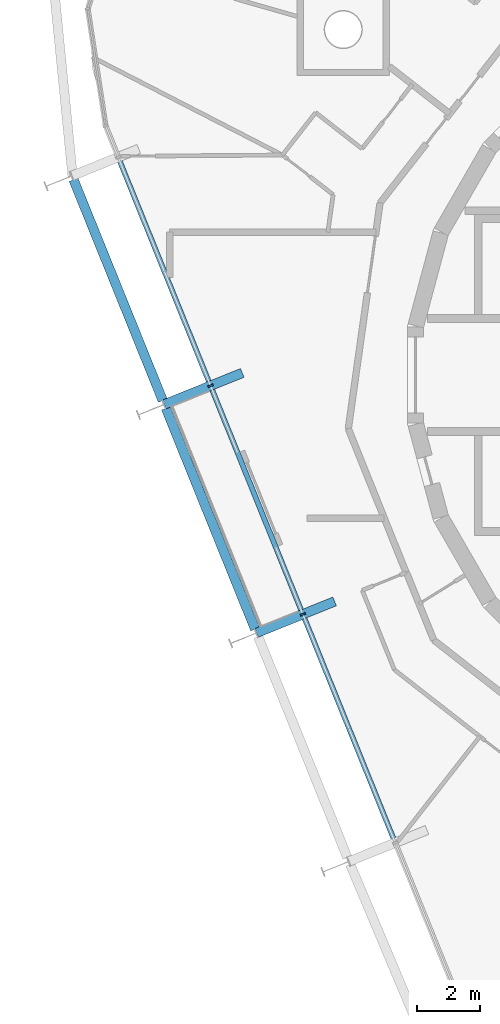
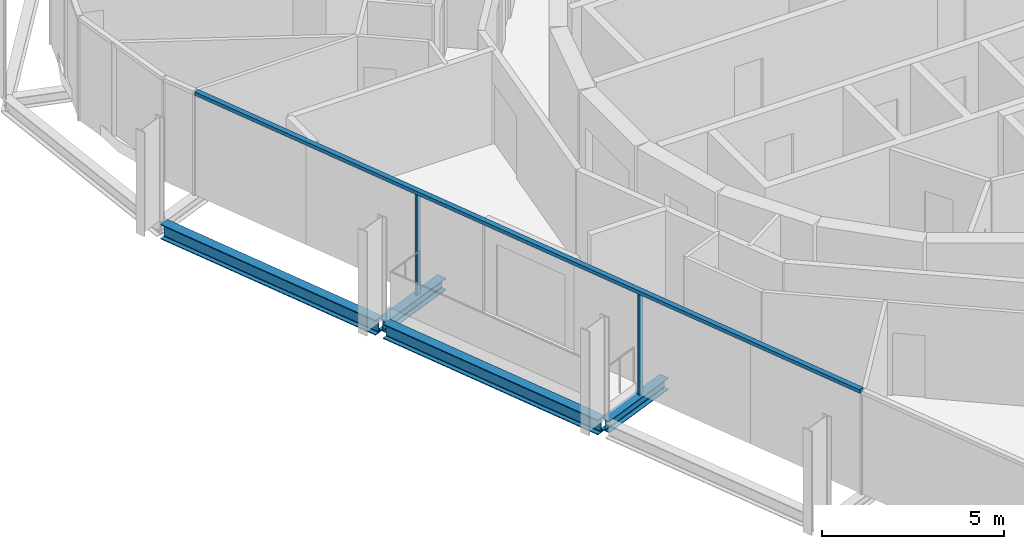
# One storey, part 3 of 15: 4 beams, 3 members, 1 element without a shape of its own.
"""IFC4 building model written with IfcOpenShell, lengths in metres."""

from ifc_helpers import new_model, si_unit, direction, frame, origin, origin_2d, place, context, subcontext, project, spatial, rectangle, i_section, extrude, material, layer, layer_set, material_profile, profile_set, type_object, element, aggregate, save


model = new_model("IFC4")

# Units and contexts
model_context = context("Model", 3, precision=1e-05, world=origin(), true_north=direction((0.0, 1.0)))
body_context = subcontext(model_context, "Body", "Model", "MODEL_VIEW")
ifc_project = project(units=[si_unit("LENGTHUNIT", "METRE"), si_unit("AREAUNIT", "SQUARE_METRE"), si_unit("VOLUMEUNIT", "CUBIC_METRE"), si_unit("PLANEANGLEUNIT", "RADIAN"), si_unit("MASSUNIT", "GRAM", prefix="KILO")], contexts=[model_context])

# Site, building, storey
site_placement = place(None, origin())
site = spatial("IfcSite", under=ifc_project, at=site_placement, CompositionType="ELEMENT")
building_placement = place(site_placement, origin())
building = spatial("IfcBuilding", under=site, at=building_placement, Name="Spindle Arch Residences", CompositionType="ELEMENT")
storey_placement = place(building_placement, frame((0.0, 0.0, 340.0)))
storey = spatial("IfcBuildingStorey", under=building, at=storey_placement, Name="L87", CompositionType="ELEMENT", Elevation=340.0)

# Curtain wall, members
ifc_material_1 = material(Name="Aluminium bronze unitised frame with tinted glass", Category="aluminium")
ifc_layer = layer(ifc_material_1, 0.159912109375)
ifc_layer_set = layer_set([ifc_layer], Name="CW-C typical residential unitised wall")
curtain_wall_type = type_object("IfcCurtainWallType", Name="CW-C typical residential unitised wall", PredefinedType="NOTDEFINED", material=ifc_layer_set)
curtain_wall_placement = place(storey_placement, origin())
curtain_wall = element("IfcCurtainWall", 1, at=curtain_wall_placement, inside=storey, type_object=curtain_wall_type, Name="CW-C L87 run 4", PredefinedType="NOTDEFINED")
ifc_material_2 = material(Name="Aluminium bronze anodised mullion", Category="aluminium")
ifc_material_profile_1 = material_profile(ifc_material_2, rectangle(XDim=0.159912109375, YDim=0.06005859375, at=origin_2d()), Name="MU 60x160")
ifc_profile_set_1 = profile_set([ifc_material_profile_1], Name="Aluminium bronze anodised mullion")
member_type_1 = type_object("IfcMemberType", Name="Bronze mullion 60x160", PredefinedType="MULLION", material=ifc_profile_set_1)
member_1_placement = place(storey_placement, frame((-18.110595703125, -0.337646484375, -0.3798828125), z_axis=(0.0, 0.0, 1.0), x_axis=(0.927183854567, 0.374606593416, 0.0)))
member_1 = element("IfcMember", 2, at=member_1_placement, type_object=member_type_1, Name="CW-C mullion 12", PredefinedType="MULLION", context=body_context, shape_type="SweptSolid", body=[
    extrude(rectangle(XDim=0.159912109375, YDim=0.06005859375, at=origin_2d()), origin(), (0.0, 0.0, 1.0), 3.3798828125),
])
member_2_placement = place(storey_placement, frame((-15.20166015625, -7.537841796875, -0.3798828125), z_axis=(0.0, 0.0, 1.0), x_axis=(0.927183854567, 0.374606593416, 0.0)))
member_2 = element("IfcMember", 3, at=member_2_placement, type_object=member_type_1, Name="CW-C mullion 13", PredefinedType="MULLION", context=body_context, shape_type="SweptSolid", body=[
    extrude(rectangle(XDim=0.159912109375, YDim=0.06005859375, at=origin_2d()), origin(), (0.0, 0.0, 1.0), 3.3798828125),
])
ifc_material_3 = material(Name="Aluminium bronze anodised transom", Category="aluminium")
ifc_material_profile_2 = material_profile(ifc_material_3, rectangle(XDim=0.159912109375, YDim=0.1201171875, at=origin_2d()), Name="TR 120x160")
ifc_profile_set_2 = profile_set([ifc_material_profile_2], Name="Aluminium bronze anodised transom")
member_type_2 = type_object("IfcMemberType", Name="Bronze transom 120x160", PredefinedType="USERDEFINED", material=ifc_profile_set_2)
member_3_placement = place(storey_placement, frame((-21.008544921875, 6.834716796875, 3.06005859375), z_axis=(0.374602019708, -0.927185702452, 0.0), x_axis=(0.927185702452, 0.374602019708, 0.0)))
member_3 = element("IfcMember", 4, at=member_3_placement, type_object=member_type_2, Name="CW-C transom 00", ObjectType="TRANSOM", PredefinedType="USERDEFINED", context=body_context, shape_type="SweptSolid", body=[
    extrude(rectangle(XDim=0.159912109375, YDim=0.1201171875, at=origin_2d()), origin(), (0.0, 0.0, 1.0), 23.23681640625),
])
aggregate(curtain_wall, [member_3, member_1, member_2])

# Beams
ifc_material_4 = material(Name="Steel S460ML, intumescent coating R 120", Category="steel")
ifc_material_profile_3 = material_profile(ifc_material_4, i_section(OverallWidth=0.300048828125, OverallDepth=0.5, WebThickness=0.014404296875, FlangeThickness=0.028076171875, FilletRadius=0.027099609375, at=origin_2d()), Name="HEB 500")
ifc_profile_set_3 = profile_set([ifc_material_profile_3], Name="Steel S460ML, intumescent coating R 120")
beam_type_1 = type_object("IfcBeamType", Name="Exoskeleton edge beam HEB 500", PredefinedType="BEAM", material=ifc_profile_set_3)
beam_1_placement = place(storey_placement, frame((-22.4267578125, 6.15380859375, -0.6298828125), z_axis=(0.374613092792, -0.927181228622, 0.0), x_axis=(0.927181228622, 0.374613092792, 0.0)))
element("IfcBeam", 5, at=beam_1_placement, inside=storey, type_object=beam_type_1, Name="Exoskeleton edge beam 12", PredefinedType="BEAM", context=body_context, shape_type="SweptSolid", body=[
    extrude(i_section(OverallWidth=0.300048828125, OverallDepth=0.5, WebThickness=0.014404296875, FlangeThickness=0.028076171875, FilletRadius=0.027099609375, at=origin_2d()), origin(), (0.0, 0.0, 1.0), 7.505859375),
])
beam_2_placement = place(storey_placement, frame((-19.517578125, -1.04638671875, -0.6298828125), z_axis=(0.374596427458, -0.927187961816, 0.0), x_axis=(0.927187961816, 0.374596427458, 0.0)))
element("IfcBeam", 6, at=beam_2_placement, inside=storey, type_object=beam_type_1, Name="Exoskeleton edge beam 13", PredefinedType="BEAM", context=body_context, shape_type="SweptSolid", body=[
    extrude(i_section(OverallWidth=0.300048828125, OverallDepth=0.5, WebThickness=0.014404296875, FlangeThickness=0.028076171875, FilletRadius=0.027099609375, at=origin_2d()), origin(), (0.0, 0.0, 1.0), 7.50537109375),
])
ifc_material_5 = material(Name="Steel S460ML, intumescent coating R 120", Category="steel")
ifc_material_profile_4 = material_profile(ifc_material_5, i_section(OverallWidth=0.300048828125, OverallDepth=0.389892578125, WebThickness=0.010986328125, FlangeThickness=0.01904296875, FilletRadius=0.027099609375, at=origin_2d()), Name="HEA 400")
ifc_profile_set_4 = profile_set([ifc_material_profile_4], Name="Steel S460ML, intumescent coating R 120")
beam_type_2 = type_object("IfcBeamType", Name="Floor outrigger HEA 400", PredefinedType="BEAM", material=ifc_profile_set_4)
beam_3_placement = place(storey_placement, frame((-19.56640625, -0.92578125, -0.574951171875), z_axis=(0.927187692393, 0.374597094323, 0.0), x_axis=(-0.374597094323, 0.927187692393, 0.0)))
element("IfcBeam", 7, at=beam_3_placement, inside=storey, type_object=beam_type_2, Name="Floor outrigger 13", PredefinedType="BEAM", context=body_context, shape_type="SweptSolid", body=[
    extrude(i_section(OverallWidth=0.300048828125, OverallDepth=0.389892578125, WebThickness=0.010986328125, FlangeThickness=0.01904296875, FilletRadius=0.027099609375, at=origin_2d()), origin(), (0.0, 0.0, 1.0), 2.64990234375),
])
beam_4_placement = place(storey_placement, frame((-16.657470703125, -8.1259765625, -0.574951171875), z_axis=(0.927200618573, 0.374565098372, 0.0), x_axis=(-0.374565098372, 0.927200618573, 0.0)))
element("IfcBeam", 8, at=beam_4_placement, inside=storey, type_object=beam_type_2, Name="Floor outrigger 14", PredefinedType="BEAM", context=body_context, shape_type="SweptSolid", body=[
    extrude(i_section(OverallWidth=0.300048828125, OverallDepth=0.389892578125, WebThickness=0.010986328125, FlangeThickness=0.01904296875, FilletRadius=0.027099609375, at=origin_2d()), origin(), (0.0, 0.0, 1.0), 2.650146484375),
])

save(model, "model.ifc")
